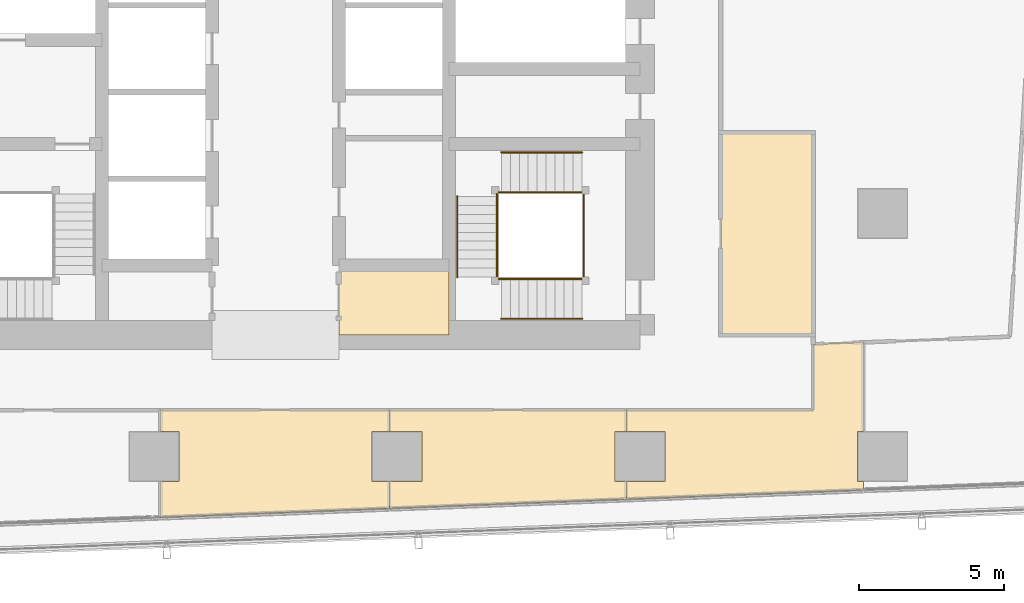
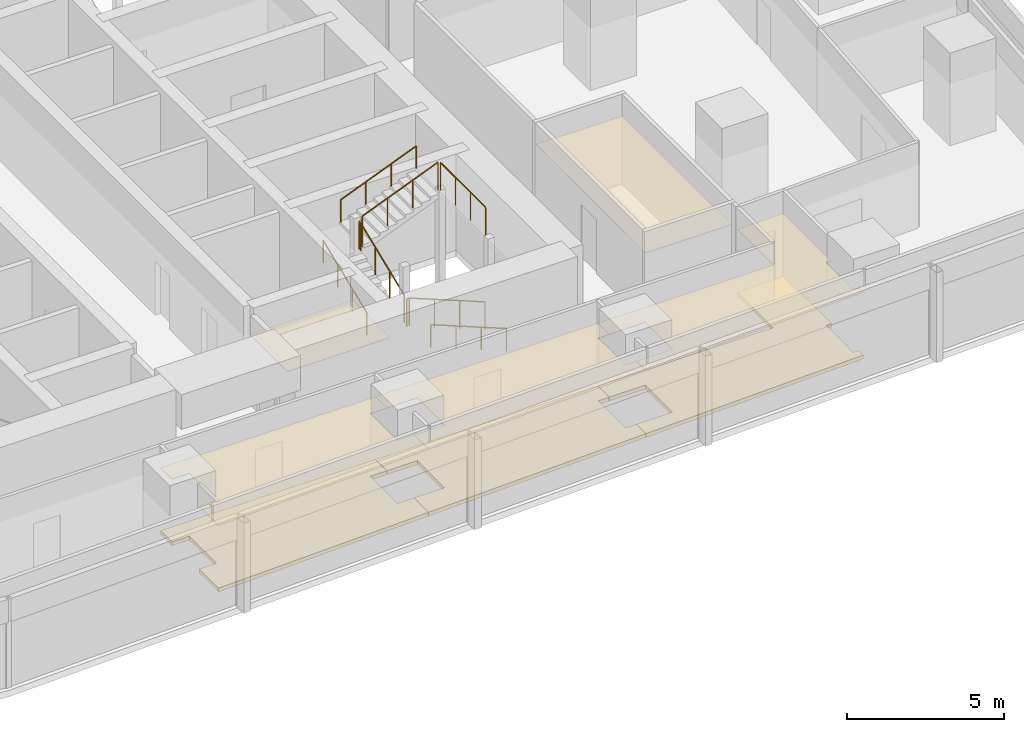
# One storey, part 37 of 40: 10 railings, 8 coverings.
"""IFC4 building model written with IfcOpenShell, lengths in metres."""

from ifc_helpers import new_model, si_unit, direction, frame, origin, origin_2d, place, context, subcontext, project, spatial, polyline, circle, outline, extrude, material, layer, layer_set, type_object, element, save


model = new_model("IFC4")

# Units and contexts
model_context = context("Model", 3, precision=1e-05, world=origin(), true_north=direction((0.0, 1.0)))
body_context = subcontext(model_context, "Body", "Model", "MODEL_VIEW")
ifc_project = project(units=[si_unit("LENGTHUNIT", "METRE"), si_unit("AREAUNIT", "SQUARE_METRE"), si_unit("VOLUMEUNIT", "CUBIC_METRE"), si_unit("PLANEANGLEUNIT", "RADIAN"), si_unit("MASSUNIT", "GRAM", prefix="KILO")], contexts=[model_context])

# Site, building, storey
site_placement = place(None, origin())
site = spatial("IfcSite", under=ifc_project, at=site_placement, CompositionType="ELEMENT")
building_placement = place(site_placement, origin())
building = spatial("IfcBuilding", under=site, at=building_placement, Name="Rekha Terrace Tower", CompositionType="ELEMENT")
storey_placement = place(building_placement, frame((0.0, 0.0, 132.800048828125)))
storey = spatial("IfcBuildingStorey", under=building, at=storey_placement, Name="L33", CompositionType="ELEMENT", Elevation=132.800048828125)

# Coverings
ifc_material_1 = material(Name="Mineral fibre tile in exposed grid", Category="finish")
ifc_layer_1 = layer(ifc_material_1, 0.02001953125)
ifc_layer_set_1 = layer_set([ifc_layer_1], Name="Mineral fibre tile in exposed grid")
covering_type_1 = type_object("IfcCoveringType", Name="CL1 600x1200 office grid ceiling", PredefinedType="CEILING", material=ifc_layer_set_1)
covering_1_placement = place(storey_placement, frame((0.0, 0.0, 2.579833984375)))
element("IfcCovering", 1, at=covering_1_placement, inside=storey, type_object=covering_type_1, Name="Ceiling L33-02", PredefinedType="CEILING", context=body_context, shape_type="SweptSolid", body=[
    extrude(outline(polyline([(49.93603515625, 17.6650390625), (49.93603515625, 18.39990234375), (41.740966796875, 18.39990234375), (41.740966796875, 17.6650390625), (42.864990234375, 17.6650390625), (42.864990234375, 15.93505859375), (41.740966796875, 15.93505859375), (41.740966796875, 15.0), (49.93603515625, 15.319091796875), (49.93603515625, 15.93505859375), (49.534912109375, 15.93505859375), (49.534912109375, 17.6650390625), (49.93603515625, 17.6650390625)])), origin(), (0.0, 0.0, 1.0), 0.02001953125),
])
covering_2_placement = place(storey_placement, frame((0.0, 0.0, 2.579833984375)))
element("IfcCovering", 2, at=covering_2_placement, inside=storey, type_object=covering_type_1, Name="Ceiling L33-03", PredefinedType="CEILING", context=body_context, shape_type="SweptSolid", body=[
    extrude(outline(polyline([(56.39990234375, 20.674072265625), (56.39990234375, 18.39990234375), (49.93701171875, 18.39990234375), (49.93701171875, 17.6650390625), (51.264892578125, 17.6650390625), (51.264892578125, 15.93505859375), (49.93701171875, 15.93505859375), (49.93701171875, 15.319091796875), (58.133056640625, 15.637939453125), (58.133056640625, 15.93505859375), (57.93505859375, 15.93505859375), (57.93505859375, 17.6650390625), (58.133056640625, 17.6650390625), (58.133056640625, 20.741943359375), (56.39990234375, 20.674072265625)])), origin(), (0.0, 0.0, 1.0), 0.02001953125),
])
covering_3_placement = place(storey_placement, frame((0.0, 0.0, 2.579833984375)))
element("IfcCovering", 3, at=covering_3_placement, inside=storey, type_object=covering_type_1, Name="Ceiling L33-09", PredefinedType="CEILING", context=body_context, shape_type="SweptSolid", body=[
    extrude(outline(polyline([(41.739990234375, 17.6650390625), (41.739990234375, 18.39990234375), (33.825927734375, 18.39990234375), (33.825927734375, 17.6650390625), (34.465087890625, 17.6650390625), (34.465087890625, 15.93505859375), (33.825927734375, 15.93505859375), (33.825927734375, 14.69189453125), (41.739990234375, 15.0), (41.739990234375, 15.93505859375), (41.135009765625, 15.93505859375), (41.135009765625, 17.6650390625), (41.739990234375, 17.6650390625)])), origin(), (0.0, 0.0, 1.0), 0.02001953125),
])
ifc_material_2 = material(Name="Fibre cement board", Category="finish")
ifc_layer_2 = layer(ifc_material_2, 0.014892578125)
ifc_layer_set_2 = layer_set([ifc_layer_2], Name="Fibre cement board")
covering_type_2 = type_object("IfcCoveringType", Name="CL2 moisture-resistant board ceiling", PredefinedType="CEILING", material=ifc_layer_set_2)
covering_4_placement = place(storey_placement, frame((0.0, 0.0, 2.5849609375)))
element("IfcCovering", 4, at=covering_4_placement, inside=storey, type_object=covering_type_2, Name="Ceiling L33-WCA", PredefinedType="CEILING", context=body_context, shape_type="SweptSolid", body=[
    extrude(outline(polyline([(43.800048828125, 23.39990234375), (40.0, 23.39990234375), (40.0, 21.0), (43.800048828125, 21.0), (43.800048828125, 23.39990234375)])), origin(), (0.0, 0.0, 1.0), 0.014892578125),
])
covering_5_placement = place(storey_placement, frame((0.0, 0.0, 2.5849609375)))
element("IfcCovering", 5, at=covering_5_placement, inside=storey, type_object=covering_type_2, Name="Ceiling L33-WCM2", PredefinedType="CEILING", context=body_context, shape_type="SweptSolid", body=[
    extrude(outline(polyline([(56.39990234375, 28.0), (53.199951171875, 28.0), (53.199951171875, 21.0), (56.39990234375, 21.0), (56.39990234375, 28.0)])), origin(), (0.0, 0.0, 1.0), 0.014892578125),
])

# Railings
ifc_material_3 = material(Name="Stainless steel balustrade", Category="steel")
railing_type_1 = type_object("IfcRailingType", Name="GR1 1100 stair guard", PredefinedType="GUARDRAIL", material=ifc_material_3)
railing_1_placement = place(storey_placement, frame((48.39990234375, 22.93994140625, 0.125)))
element("IfcRailing", 6, at=railing_1_placement, inside=storey, type_object=railing_type_1, Name="Guard ST3 L33 flight 1", PredefinedType="GUARDRAIL", context=body_context, shape_type="SweptSolid", body=[
    extrude(circle(Radius=0.02392578125, at=origin_2d()), frame((0.0, 0.0, 1.076171875), z_axis=(-0.927431937212, 0.0, 0.373991980981), x_axis=(0.0, -1.0, 0.0)), (0.0, 0.0, 1.0), 3.008056640625),
    extrude(circle(Radius=0.02099609375, at=origin_2d()), origin(), (0.0, 0.0, 1.0), 1.052001953125),
    extrude(circle(Radius=0.02099609375, at=origin_2d()), frame((-0.929931640625, 0.0, 0.375)), (0.0, 0.0, 1.0), 1.052001953125),
    extrude(circle(Radius=0.02099609375, at=origin_2d()), frame((-1.85986328125, 0.0, 0.75)), (0.0, 0.0, 1.0), 1.052001953125),
    extrude(circle(Radius=0.02099609375, at=origin_2d()), frame((-2.789794921875, 0.0, 1.125)), (0.0, 0.0, 1.0), 1.052001953125),
])
railing_2_placement = place(storey_placement, frame((45.465087890625, 23.0, 1.375)))
element("IfcRailing", 7, at=railing_2_placement, inside=storey, type_object=railing_type_1, Name="Guard ST3 L33 flight 2", PredefinedType="GUARDRAIL", context=body_context, shape_type="SweptSolid", body=[
    extrude(circle(Radius=0.02392578125, at=origin_2d()), frame((0.0, 0.0, 1.076171875), z_axis=(0.0, 0.927443287984, 0.373963831907), x_axis=(-1.0, 0.0, 0.0)), (0.0, 0.0, 1.0), 3.00830078125),
    extrude(circle(Radius=0.02099609375, at=origin_2d()), origin(), (0.0, 0.0, 1.0), 1.052001953125),
    extrude(circle(Radius=0.02099609375, at=origin_2d()), frame((0.0, 0.929931640625, 0.375)), (0.0, 0.0, 1.0), 1.052001953125),
    extrude(circle(Radius=0.02099609375, at=origin_2d()), frame((0.0, 1.860107421875, 0.75)), (0.0, 0.0, 1.0), 1.052001953125),
    extrude(circle(Radius=0.02099609375, at=origin_2d()), frame((0.0, 2.7900390625, 1.125)), (0.0, 0.0, 1.0), 1.052001953125),
])
railing_3_placement = place(storey_placement, frame((45.610107421875, 25.93505859375, 2.625)))
element("IfcRailing", 8, at=railing_3_placement, inside=storey, type_object=railing_type_1, Name="Guard ST3 L33 flight 3", PredefinedType="GUARDRAIL", context=body_context, shape_type="SweptSolid", body=[
    extrude(circle(Radius=0.02392578125, at=origin_2d()), frame((0.0, 0.0, 1.076171875), z_axis=(0.927431937212, 0.0, 0.373991980981), x_axis=(0.0, 1.0, 0.0)), (0.0, 0.0, 1.0), 3.008056640625),
    extrude(circle(Radius=0.02099609375, at=origin_2d()), origin(), (0.0, 0.0, 1.0), 1.052001953125),
    extrude(circle(Radius=0.02099609375, at=origin_2d()), frame((0.929931640625, 0.0, 0.375)), (0.0, 0.0, 1.0), 1.052001953125),
    extrude(circle(Radius=0.02099609375, at=origin_2d()), frame((1.85986328125, 0.0, 0.75)), (0.0, 0.0, 1.0), 1.052001953125),
    extrude(circle(Radius=0.02099609375, at=origin_2d()), frame((2.789794921875, 0.0, 1.125)), (0.0, 0.0, 1.0), 1.052001953125),
])
railing_4_placement = place(storey_placement, frame((45.610107421875, 22.93994140625, 1.25)))
element("IfcRailing", 9, at=railing_4_placement, inside=storey, type_object=railing_type_1, Name="Guard ST3 L33 landing 1", PredefinedType="GUARDRAIL", context=body_context, shape_type="SweptSolid", body=[
    extrude(circle(Radius=0.02392578125, at=origin_2d()), frame((0.0, 0.0, 1.076171875), z_axis=(-1.0, 0.0, 0.0), x_axis=(0.0, -1.0, 0.0)), (0.0, 0.0, 1.0), 0.085205078125),
    extrude(circle(Radius=0.02099609375, at=origin_2d()), origin(), (0.0, 0.0, 1.0), 1.052001953125),
    extrude(circle(Radius=0.02099609375, at=origin_2d()), frame((-0.085205078125, 0.0, 0.0)), (0.0, 0.0, 1.0), 1.052001953125),
])
railing_5_placement = place(storey_placement, frame((45.465087890625, 25.7900390625, 2.5)))
element("IfcRailing", 10, at=railing_5_placement, inside=storey, type_object=railing_type_1, Name="Guard ST3 L33 landing 2", PredefinedType="GUARDRAIL", context=body_context, shape_type="SweptSolid", body=[
    extrude(circle(Radius=0.02392578125, at=origin_2d()), frame((0.0, 0.0, 1.076171875), z_axis=(0.0, 1.0, 0.0), x_axis=(-1.0, 0.0, 0.0)), (0.0, 0.0, 1.0), 0.0849609375),
    extrude(circle(Radius=0.02099609375, at=origin_2d()), origin(), (0.0, 0.0, 1.0), 1.052001953125),
    extrude(circle(Radius=0.02099609375, at=origin_2d()), frame((0.0, 0.0849609375, 0.0)), (0.0, 0.0, 1.0), 1.052001953125),
])
railing_6_placement = place(storey_placement, frame((45.610107421875, 25.93505859375, 2.5)))
element("IfcRailing", 11, at=railing_6_placement, inside=storey, type_object=railing_type_1, Name="Guard ST3 L33 landing 3", PredefinedType="GUARDRAIL", context=body_context, shape_type="SweptSolid", body=[
    extrude(circle(Radius=0.02392578125, at=origin_2d()), frame((0.0, 0.0, 1.076171875), z_axis=(-1.0, 0.0, 0.0), x_axis=(0.0, -1.0, 0.0)), (0.0, 0.0, 1.0), 0.085205078125),
    extrude(circle(Radius=0.02099609375, at=origin_2d()), origin(), (0.0, 0.0, 1.0), 1.052001953125),
    extrude(circle(Radius=0.02099609375, at=origin_2d()), frame((-0.085205078125, 0.0, 0.0)), (0.0, 0.0, 1.0), 1.052001953125),
])
railing_7_placement = place(storey_placement, frame((48.4599609375, 23.0, 3.75)))
element("IfcRailing", 12, at=railing_7_placement, inside=storey, type_object=railing_type_1, Name="Guard ST3 L33 landing 4", PredefinedType="GUARDRAIL", context=body_context, shape_type="SweptSolid", body=[
    extrude(circle(Radius=0.02392578125, at=origin_2d()), frame((0.0, 0.0, 1.076171875), z_axis=(0.0, 1.0, 0.0), x_axis=(-1.0, 0.0, 0.0)), (0.0, 0.0, 1.0), 2.875),
    extrude(circle(Radius=0.02099609375, at=origin_2d()), origin(), (0.0, 0.0, 1.0), 1.052001953125),
    extrude(circle(Radius=0.02099609375, at=origin_2d()), frame((0.0, 0.958251953125, 0.0)), (0.0, 0.0, 1.0), 1.052001953125),
    extrude(circle(Radius=0.02099609375, at=origin_2d()), frame((0.0, 1.916748046875, 0.0)), (0.0, 0.0, 1.0), 1.052001953125),
    extrude(circle(Radius=0.02099609375, at=origin_2d()), frame((0.0, 2.875, 0.0)), (0.0, 0.0, 1.0), 1.052001953125),
])
ifc_material_4 = material(Name="Stainless steel tube", Category="steel")
railing_type_2 = type_object("IfcRailingType", Name="HR1 900 stair handrail", PredefinedType="HANDRAIL", material=ifc_material_4)
railing_8_placement = place(storey_placement, frame((48.39990234375, 21.56005859375, 0.125)))
element("IfcRailing", 13, at=railing_8_placement, inside=storey, type_object=railing_type_2, Name="Handrail ST3 L33 flight 1", PredefinedType="HANDRAIL", context=body_context, shape_type="SweptSolid", body=[
    extrude(circle(Radius=0.02392578125, at=origin_2d()), frame((0.0, 0.0, 0.8759765625), z_axis=(-0.927431937212, 0.0, 0.373991980981), x_axis=(0.0, -1.0, 0.0)), (0.0, 0.0, 1.0), 3.008056640625),
    extrude(circle(Radius=0.02099609375, at=origin_2d()), origin(), (0.0, 0.0, 1.0), 0.851806640625),
    extrude(circle(Radius=0.02099609375, at=origin_2d()), frame((-0.929931640625, 0.0, 0.375)), (0.0, 0.0, 1.0), 0.851806640625),
    extrude(circle(Radius=0.02099609375, at=origin_2d()), frame((-1.85986328125, 0.0, 0.75)), (0.0, 0.0, 1.0), 0.851806640625),
    extrude(circle(Radius=0.02099609375, at=origin_2d()), frame((-2.789794921875, 0.0, 1.125)), (0.0, 0.0, 1.0), 0.851806640625),
])
railing_9_placement = place(storey_placement, frame((44.0849609375, 23.0, 1.375)))
element("IfcRailing", 14, at=railing_9_placement, inside=storey, type_object=railing_type_2, Name="Handrail ST3 L33 flight 2", PredefinedType="HANDRAIL", context=body_context, shape_type="SweptSolid", body=[
    extrude(circle(Radius=0.02392578125, at=origin_2d()), frame((0.0, 0.0, 0.8759765625), z_axis=(0.0, 0.927443287984, 0.373963831907), x_axis=(-1.0, 0.0, 0.0)), (0.0, 0.0, 1.0), 3.00830078125),
    extrude(circle(Radius=0.02099609375, at=origin_2d()), origin(), (0.0, 0.0, 1.0), 0.851806640625),
    extrude(circle(Radius=0.02099609375, at=origin_2d()), frame((0.0, 0.929931640625, 0.375)), (0.0, 0.0, 1.0), 0.851806640625),
    extrude(circle(Radius=0.02099609375, at=origin_2d()), frame((0.0, 1.860107421875, 0.75)), (0.0, 0.0, 1.0), 0.851806640625),
    extrude(circle(Radius=0.02099609375, at=origin_2d()), frame((0.0, 2.7900390625, 1.125)), (0.0, 0.0, 1.0), 0.851806640625),
])
railing_10_placement = place(storey_placement, frame((45.610107421875, 27.31494140625, 2.625)))
element("IfcRailing", 15, at=railing_10_placement, inside=storey, type_object=railing_type_2, Name="Handrail ST3 L33 flight 3", PredefinedType="HANDRAIL", context=body_context, shape_type="SweptSolid", body=[
    extrude(circle(Radius=0.02392578125, at=origin_2d()), frame((0.0, 0.0, 0.8759765625), z_axis=(0.927431937212, 0.0, 0.373991980981), x_axis=(0.0, 1.0, 0.0)), (0.0, 0.0, 1.0), 3.008056640625),
    extrude(circle(Radius=0.02099609375, at=origin_2d()), origin(), (0.0, 0.0, 1.0), 0.851806640625),
    extrude(circle(Radius=0.02099609375, at=origin_2d()), frame((0.929931640625, 0.0, 0.375)), (0.0, 0.0, 1.0), 0.851806640625),
    extrude(circle(Radius=0.02099609375, at=origin_2d()), frame((1.85986328125, 0.0, 0.75)), (0.0, 0.0, 1.0), 0.851806640625),
    extrude(circle(Radius=0.02099609375, at=origin_2d()), frame((2.789794921875, 0.0, 1.125)), (0.0, 0.0, 1.0), 0.851806640625),
])

# Coverings
ifc_material_5 = material(Name="Calcium sulphate panels on steel pedestals", Category="steel")
ifc_layer_3 = layer(ifc_material_5, 0.14990234375)
ifc_layer_set_3 = layer_set([ifc_layer_3], Name="Calcium sulphate panels on steel pedestals")
covering_type_3 = type_object("IfcCoveringType", Name="RF1 150 raised access floor", PredefinedType="FLOORING", material=ifc_layer_set_3)
covering_6_placement = place(storey_placement, origin())
element("IfcCovering", 16, at=covering_6_placement, inside=storey, type_object=covering_type_3, Name="Raised floor L33-02", PredefinedType="FLOORING", context=body_context, shape_type="SweptSolid", body=[
    extrude(outline(polyline([(49.93603515625, 17.6650390625), (49.93603515625, 18.39990234375), (41.740966796875, 18.39990234375), (41.740966796875, 17.6650390625), (42.864990234375, 17.6650390625), (42.864990234375, 15.93505859375), (41.740966796875, 15.93505859375), (41.740966796875, 15.0), (49.93603515625, 15.319091796875), (49.93603515625, 15.93505859375), (49.534912109375, 15.93505859375), (49.534912109375, 17.6650390625), (49.93603515625, 17.6650390625)])), origin(), (0.0, 0.0, 1.0), 0.14990234375),
])
covering_7_placement = place(storey_placement, origin())
element("IfcCovering", 17, at=covering_7_placement, inside=storey, type_object=covering_type_3, Name="Raised floor L33-03", PredefinedType="FLOORING", context=body_context, shape_type="SweptSolid", body=[
    extrude(outline(polyline([(56.39990234375, 20.674072265625), (56.39990234375, 18.39990234375), (49.93701171875, 18.39990234375), (49.93701171875, 17.6650390625), (51.264892578125, 17.6650390625), (51.264892578125, 15.93505859375), (49.93701171875, 15.93505859375), (49.93701171875, 15.319091796875), (58.133056640625, 15.637939453125), (58.133056640625, 15.93505859375), (57.93505859375, 15.93505859375), (57.93505859375, 17.6650390625), (58.133056640625, 17.6650390625), (58.133056640625, 20.741943359375), (56.39990234375, 20.674072265625)])), origin(), (0.0, 0.0, 1.0), 0.14990234375),
])
covering_8_placement = place(storey_placement, origin())
element("IfcCovering", 18, at=covering_8_placement, inside=storey, type_object=covering_type_3, Name="Raised floor L33-09", PredefinedType="FLOORING", context=body_context, shape_type="SweptSolid", body=[
    extrude(outline(polyline([(41.739990234375, 17.6650390625), (41.739990234375, 18.39990234375), (33.825927734375, 18.39990234375), (33.825927734375, 17.6650390625), (34.465087890625, 17.6650390625), (34.465087890625, 15.93505859375), (33.825927734375, 15.93505859375), (33.825927734375, 14.69189453125), (41.739990234375, 15.0), (41.739990234375, 15.93505859375), (41.135009765625, 15.93505859375), (41.135009765625, 17.6650390625), (41.739990234375, 17.6650390625)])), origin(), (0.0, 0.0, 1.0), 0.14990234375),
])

save(model, "model.ifc")
